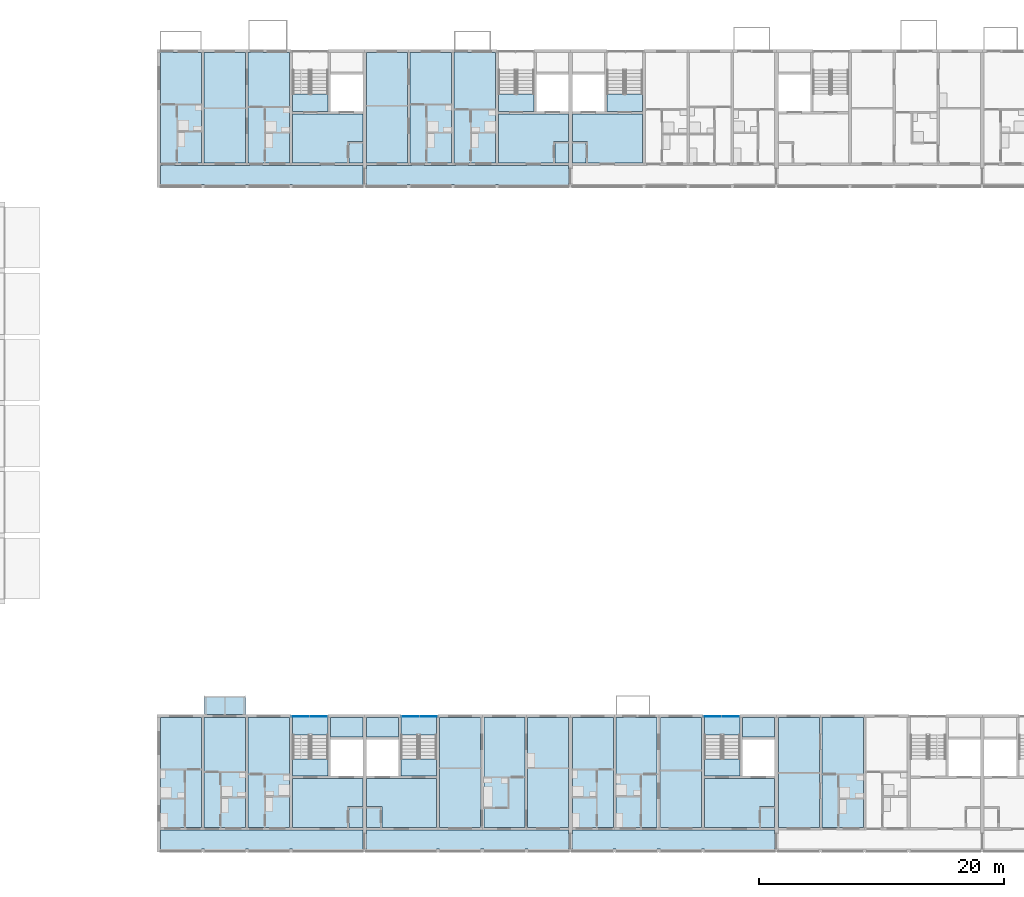
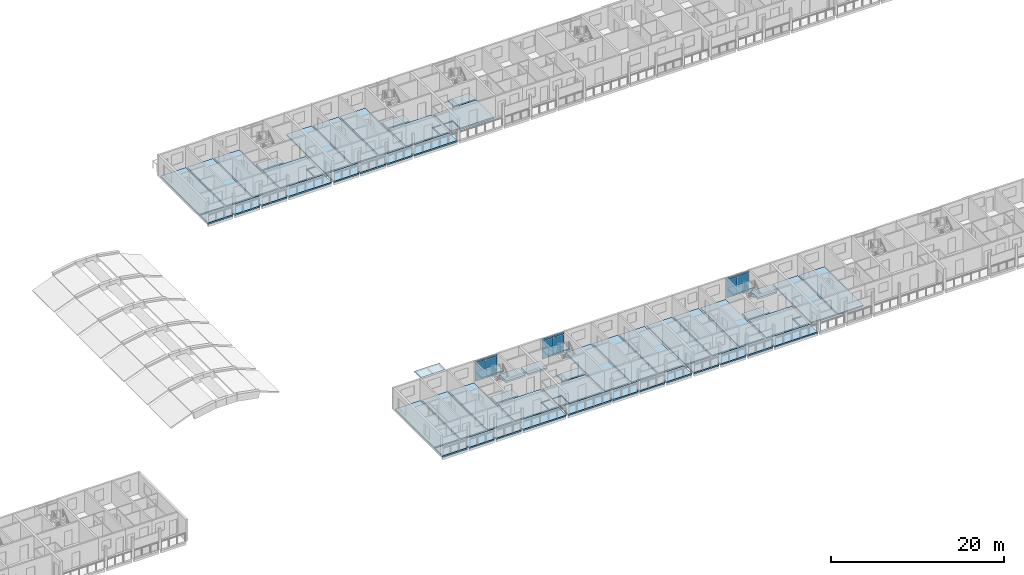
# One storey, part 26 of 93: 47 slabs, 12 plates, 6 elements without a shape of their own.
"""IFC4 building model written with IfcOpenShell, lengths in metres."""

from ifc_helpers import new_model, si_unit, direction, frame, origin, origin_2d, place, context, subcontext, project, spatial, polyline, rectangle, outline, extrude, material, layer, layer_set, type_object, element, aggregate, save


model = new_model("IFC4")

# Units and contexts
model_context = context("Model", 3, precision=1e-05, world=origin(), true_north=direction((0.0, 1.0)))
body_context = subcontext(model_context, "Body", "Model", "MODEL_VIEW")
ifc_project = project(units=[si_unit("LENGTHUNIT", "METRE"), si_unit("AREAUNIT", "SQUARE_METRE"), si_unit("VOLUMEUNIT", "CUBIC_METRE"), si_unit("PLANEANGLEUNIT", "RADIAN"), si_unit("MASSUNIT", "GRAM", prefix="KILO")], contexts=[model_context])

# Site, building, storey
site_placement = place(None, origin())
site = spatial("IfcSite", under=ifc_project, at=site_placement, CompositionType="ELEMENT")
building_placement = place(site_placement, origin())
building = spatial("IfcBuilding", under=site, at=building_placement, Name="Ridgestep Commons", CompositionType="ELEMENT")
storey_placement = place(building_placement, frame((0.0, 0.0, 18.0)))
storey = spatial("IfcBuildingStorey", under=building, at=storey_placement, Name="L06", CompositionType="ELEMENT", Elevation=18.0)

# Slabs
ifc_material_1 = material(Name="Precast concrete C40/50", Category="concrete")
ifc_layer_1 = layer(ifc_material_1, 0.199951171875)
ifc_layer_set_1 = layer_set([ifc_layer_1], Name="Gallery slab 200")
slab_type_1 = type_object("IfcSlabType", Name="Gallery slab 200", PredefinedType="FLOOR", material=ifc_layer_set_1)
slab_1_placement = place(storey_placement, frame((0.0, 0.0, -0.199951171875)))
element("IfcSlab", 1, at=slab_1_placement, inside=storey, type_object=slab_type_1, Name="Gallery slab C1 L06", PredefinedType="FLOOR", context=body_context, shape_type="SweptSolid", body=[
    extrude(outline(polyline([(163.449951171875, 67.800048828125), (146.949951171875, 67.800048828125), (146.949951171875, 66.0), (150.27490234375, 66.0), (150.27490234375, 66.25), (150.52490234375, 66.25), (150.52490234375, 66.0), (153.875, 66.0), (153.875, 66.25), (154.125, 66.25), (154.125, 66.0), (157.47509765625, 66.0), (157.47509765625, 66.25), (157.72509765625, 66.25), (157.72509765625, 66.0), (163.449951171875, 66.0), (163.449951171875, 67.800048828125)])), origin(), (0.0, 0.0, 1.0), 0.199951171875),
])
slab_2_placement = place(storey_placement, frame((0.0, 0.0, -0.199951171875)))
element("IfcSlab", 2, at=slab_2_placement, inside=storey, type_object=slab_type_1, Name="Gallery slab C2 L06", PredefinedType="FLOOR", context=body_context, shape_type="SweptSolid", body=[
    extrude(outline(polyline([(180.25, 67.800048828125), (163.75, 67.800048828125), (163.75, 66.0), (167.074951171875, 66.0), (167.074951171875, 66.25), (167.324951171875, 66.25), (167.324951171875, 66.0), (170.675048828125, 66.0), (170.675048828125, 66.25), (170.925048828125, 66.25), (170.925048828125, 66.0), (174.27490234375, 66.0), (174.27490234375, 66.25), (174.52490234375, 66.25), (174.52490234375, 66.0), (180.25, 66.0), (180.25, 67.800048828125)])), origin(), (0.0, 0.0, 1.0), 0.199951171875),
])
slab_3_placement = place(storey_placement, frame((0.0, 0.0, -0.199951171875)))
element("IfcSlab", 3, at=slab_3_placement, inside=storey, type_object=slab_type_1, Name="Gallery slab D1 L06", PredefinedType="FLOOR", context=body_context, shape_type="SweptSolid", body=[
    extrude(outline(polyline([(163.449951171875, 13.550048828125), (146.949951171875, 13.550048828125), (146.949951171875, 11.75), (150.27490234375, 11.75), (150.27490234375, 12.0), (150.52490234375, 12.0), (150.52490234375, 11.75), (153.875, 11.75), (153.875, 12.0), (154.125, 12.0), (154.125, 11.75), (157.47509765625, 11.75), (157.47509765625, 12.0), (157.72509765625, 12.0), (157.72509765625, 11.75), (163.449951171875, 11.75), (163.449951171875, 13.550048828125)])), origin(), (0.0, 0.0, 1.0), 0.199951171875),
])
slab_4_placement = place(storey_placement, frame((0.0, 0.0, -0.199951171875)))
element("IfcSlab", 4, at=slab_4_placement, inside=storey, type_object=slab_type_1, Name="Gallery slab D2 L06", PredefinedType="FLOOR", context=body_context, shape_type="SweptSolid", body=[
    extrude(outline(polyline([(180.25, 13.550048828125), (163.75, 13.550048828125), (163.75, 11.75), (169.47509765625, 11.75), (169.47509765625, 12.0), (169.72509765625, 12.0), (169.72509765625, 11.75), (173.074951171875, 11.75), (173.074951171875, 12.0), (173.324951171875, 12.0), (173.324951171875, 11.75), (176.675048828125, 11.75), (176.675048828125, 12.0), (176.925048828125, 12.0), (176.925048828125, 11.75), (180.25, 11.75), (180.25, 13.550048828125)])), origin(), (0.0, 0.0, 1.0), 0.199951171875),
])
slab_5_placement = place(storey_placement, frame((0.0, 0.0, -0.199951171875)))
element("IfcSlab", 5, at=slab_5_placement, inside=storey, type_object=slab_type_1, Name="Gallery slab D3 L06", PredefinedType="FLOOR", context=body_context, shape_type="SweptSolid", body=[
    extrude(outline(polyline([(197.050048828125, 13.550048828125), (180.550048828125, 13.550048828125), (180.550048828125, 11.75), (183.875, 11.75), (183.875, 12.0), (184.125, 12.0), (184.125, 11.75), (187.47509765625, 11.75), (187.47509765625, 12.0), (187.72509765625, 12.0), (187.72509765625, 11.75), (191.074951171875, 11.75), (191.074951171875, 12.0), (191.324951171875, 12.0), (191.324951171875, 11.75), (197.050048828125, 11.75), (197.050048828125, 13.550048828125)])), origin(), (0.0, 0.0, 1.0), 0.199951171875),
])

# Curtain wall, plates
ifc_material_2 = material(Name="Aluminium 6063-T6 and glass", Category="aluminium")
curtain_wall_type = type_object("IfcCurtainWallType", Name="Curtain wall stair strip", PredefinedType="NOTDEFINED", material=ifc_material_2)
curtain_wall_1_placement = place(storey_placement, origin())
curtain_wall_1 = element("IfcCurtainWall", 6, at=curtain_wall_1_placement, inside=storey, type_object=curtain_wall_type, Name="Curtain wall D1C level 06", PredefinedType="NOTDEFINED")
ifc_material_3 = material(Name="Glass laminated 6/16/6 low-emissivity", Category="glass")
ifc_layer_2 = layer(ifc_material_3, 0.028076171875)
ifc_layer_set_2 = layer_set([ifc_layer_2], Name="Glazing panel 28")
plate_type_1 = type_object("IfcPlateType", Name="Glazing panel 28", PredefinedType="CURTAIN_PANEL", material=ifc_layer_set_2)
plate_1_placement = place(storey_placement, frame((158.371337890625, 22.830078125, 0.06005859375), z_axis=(0.0, 0.0, 1.0), x_axis=(1.0, 0.0, 0.0)))
plate_1 = element("IfcPlate", 7, at=plate_1_placement, type_object=plate_type_1, Name="CW1 panel 1.1", PredefinedType="CURTAIN_PANEL", context=body_context, shape_type="SweptSolid", body=[
    extrude(rectangle(XDim=1.422607421875, YDim=0.028076171875, at=origin_2d()), origin(), (0.0, 0.0, 1.0), 2.5),
])
plate_2_placement = place(storey_placement, frame((159.853759765625, 22.830078125, 0.06005859375), z_axis=(0.0, 0.0, 1.0), x_axis=(1.0, 0.0, 0.0)))
plate_2 = element("IfcPlate", 8, at=plate_2_placement, type_object=plate_type_1, Name="CW1 panel 2.1", PredefinedType="CURTAIN_PANEL", context=body_context, shape_type="SweptSolid", body=[
    extrude(rectangle(XDim=1.422607421875, YDim=0.028076171875, at=origin_2d()), origin(), (0.0, 0.0, 1.0), 2.5),
])

curtain_wall_2_placement = place(storey_placement, origin())
curtain_wall_2 = element("IfcCurtainWall", 9, at=curtain_wall_2_placement, inside=storey, type_object=curtain_wall_type, Name="Curtain wall D2C level 06", PredefinedType="NOTDEFINED")
plate_3_placement = place(storey_placement, frame((167.34619140625, 22.830078125, 0.06005859375), z_axis=(0.0, 0.0, 1.0), x_axis=(1.0, 0.0, 0.0)))
plate_3 = element("IfcPlate", 10, at=plate_3_placement, type_object=plate_type_1, Name="CW1 panel 1.1", PredefinedType="CURTAIN_PANEL", context=body_context, shape_type="SweptSolid", body=[
    extrude(rectangle(XDim=1.422607421875, YDim=0.028076171875, at=origin_2d()), origin(), (0.0, 0.0, 1.0), 2.5),
])
plate_4_placement = place(storey_placement, frame((168.828857421875, 22.830078125, 0.06005859375), z_axis=(0.0, 0.0, 1.0), x_axis=(1.0, 0.0, 0.0)))
plate_4 = element("IfcPlate", 11, at=plate_4_placement, type_object=plate_type_1, Name="CW1 panel 2.1", PredefinedType="CURTAIN_PANEL", context=body_context, shape_type="SweptSolid", body=[
    extrude(rectangle(XDim=1.422607421875, YDim=0.028076171875, at=origin_2d()), origin(), (0.0, 0.0, 1.0), 2.5),
])

curtain_wall_3_placement = place(storey_placement, origin())
curtain_wall_3 = element("IfcCurtainWall", 12, at=curtain_wall_3_placement, inside=storey, type_object=curtain_wall_type, Name="Curtain wall D3C level 06", PredefinedType="NOTDEFINED")
plate_5_placement = place(storey_placement, frame((191.97119140625, 22.830078125, 0.06005859375), z_axis=(0.0, 0.0, 1.0), x_axis=(1.0, 0.0, 0.0)))
plate_5 = element("IfcPlate", 13, at=plate_5_placement, type_object=plate_type_1, Name="CW1 panel 1.1", PredefinedType="CURTAIN_PANEL", context=body_context, shape_type="SweptSolid", body=[
    extrude(rectangle(XDim=1.422607421875, YDim=0.028076171875, at=origin_2d()), origin(), (0.0, 0.0, 1.0), 2.5),
])
plate_6_placement = place(storey_placement, frame((193.453857421875, 22.830078125, 0.06005859375), z_axis=(0.0, 0.0, 1.0), x_axis=(1.0, 0.0, 0.0)))
plate_6 = element("IfcPlate", 14, at=plate_6_placement, type_object=plate_type_1, Name="CW1 panel 2.1", PredefinedType="CURTAIN_PANEL", context=body_context, shape_type="SweptSolid", body=[
    extrude(rectangle(XDim=1.422607421875, YDim=0.028076171875, at=origin_2d()), origin(), (0.0, 0.0, 1.0), 2.5),
])

# Slabs
ifc_material_4 = material(Name="Precast concrete C50/60", Category="concrete")
ifc_layer_3 = layer(ifc_material_4, 0.199951171875)
ifc_layer_set_3 = layer_set([ifc_layer_3], Name="Hollow-core plank 200")
slab_type_2 = type_object("IfcSlabType", Name="Hollow-core plank 200", PredefinedType="FLOOR", material=ifc_layer_set_3)
slab_6_placement = place(storey_placement, frame((0.0, 0.0, -0.199951171875)))
element("IfcSlab", 15, at=slab_6_placement, inside=storey, type_object=slab_type_2, Name="Floor plank C1T1 L06", PredefinedType="FLOOR", context=body_context, shape_type="SweptSolid", body=[
    extrude(outline(polyline([(150.300048828125, 68.0), (150.300048828125, 77.0), (146.949951171875, 77.0), (146.949951171875, 68.0), (150.300048828125, 68.0)])), origin(), (0.0, 0.0, 1.0), 0.199951171875),
])
slab_7_placement = place(storey_placement, frame((0.0, 0.0, -0.199951171875)))
element("IfcSlab", 16, at=slab_7_placement, inside=storey, type_object=slab_type_2, Name="Floor plank C1T2 L06", PredefinedType="FLOOR", context=body_context, shape_type="SweptSolid", body=[
    extrude(outline(polyline([(153.89990234375, 68.0), (153.89990234375, 77.0), (150.5, 77.0), (150.5, 68.0), (153.89990234375, 68.0)])), origin(), (0.0, 0.0, 1.0), 0.199951171875),
])
slab_8_placement = place(storey_placement, frame((0.0, 0.0, -0.199951171875)))
element("IfcSlab", 17, at=slab_8_placement, inside=storey, type_object=slab_type_2, Name="Floor plank C1T3 L06", PredefinedType="FLOOR", context=body_context, shape_type="SweptSolid", body=[
    extrude(outline(polyline([(157.47509765625, 68.0), (157.47509765625, 77.0), (154.10009765625, 77.0), (154.10009765625, 68.0), (157.47509765625, 68.0)])), origin(), (0.0, 0.0, 1.0), 0.199951171875),
])
slab_9_placement = place(storey_placement, frame((0.0, 0.0, -0.199951171875)))
element("IfcSlab", 18, at=slab_9_placement, inside=storey, type_object=slab_type_2, Name="Floor plank C2T1 L06", PredefinedType="FLOOR", context=body_context, shape_type="SweptSolid", body=[
    extrude(outline(polyline([(167.10009765625, 68.0), (167.10009765625, 77.0), (163.75, 77.0), (163.75, 68.0), (167.10009765625, 68.0)])), origin(), (0.0, 0.0, 1.0), 0.199951171875),
])
slab_10_placement = place(storey_placement, frame((0.0, 0.0, -0.199951171875)))
element("IfcSlab", 19, at=slab_10_placement, inside=storey, type_object=slab_type_2, Name="Floor plank C2T2 L06", PredefinedType="FLOOR", context=body_context, shape_type="SweptSolid", body=[
    extrude(outline(polyline([(170.699951171875, 68.0), (170.699951171875, 77.0), (167.300048828125, 77.0), (167.300048828125, 68.0), (170.699951171875, 68.0)])), origin(), (0.0, 0.0, 1.0), 0.199951171875),
])
slab_11_placement = place(storey_placement, frame((0.0, 0.0, -0.199951171875)))
element("IfcSlab", 20, at=slab_11_placement, inside=storey, type_object=slab_type_2, Name="Floor plank C2T3 L06", PredefinedType="FLOOR", context=body_context, shape_type="SweptSolid", body=[
    extrude(outline(polyline([(174.27490234375, 68.0), (174.27490234375, 77.0), (170.89990234375, 77.0), (170.89990234375, 68.0), (174.27490234375, 68.0)])), origin(), (0.0, 0.0, 1.0), 0.199951171875),
])
slab_12_placement = place(storey_placement, frame((0.0, 0.0, -0.199951171875)))
element("IfcSlab", 21, at=slab_12_placement, inside=storey, type_object=slab_type_2, Name="Floor plank D1T1 L06", PredefinedType="FLOOR", context=body_context, shape_type="SweptSolid", body=[
    extrude(outline(polyline([(150.300048828125, 13.75), (150.300048828125, 22.75), (146.949951171875, 22.75), (146.949951171875, 13.75), (150.300048828125, 13.75)])), origin(), (0.0, 0.0, 1.0), 0.199951171875),
])
slab_13_placement = place(storey_placement, frame((0.0, 0.0, -0.199951171875)))
element("IfcSlab", 22, at=slab_13_placement, inside=storey, type_object=slab_type_2, Name="Floor plank D1T2 L06", PredefinedType="FLOOR", context=body_context, shape_type="SweptSolid", body=[
    extrude(outline(polyline([(153.89990234375, 13.75), (153.89990234375, 22.75), (150.5, 22.75), (150.5, 13.75), (153.89990234375, 13.75)])), origin(), (0.0, 0.0, 1.0), 0.199951171875),
])
slab_14_placement = place(storey_placement, frame((0.0, 0.0, -0.199951171875)))
element("IfcSlab", 23, at=slab_14_placement, inside=storey, type_object=slab_type_2, Name="Floor plank D1T3 L06", PredefinedType="FLOOR", context=body_context, shape_type="SweptSolid", body=[
    extrude(outline(polyline([(157.47509765625, 13.75), (157.47509765625, 22.75), (154.10009765625, 22.75), (154.10009765625, 13.75), (157.47509765625, 13.75)])), origin(), (0.0, 0.0, 1.0), 0.199951171875),
])
slab_15_placement = place(storey_placement, frame((0.0, 0.0, -0.199951171875)))
element("IfcSlab", 24, at=slab_15_placement, inside=storey, type_object=slab_type_2, Name="Floor plank D2T3 L06", PredefinedType="FLOOR", context=body_context, shape_type="SweptSolid", body=[
    extrude(outline(polyline([(173.074951171875, 13.75), (173.074951171875, 22.75), (169.72509765625, 22.75), (169.72509765625, 13.75), (173.074951171875, 13.75)])), origin(), (0.0, 0.0, 1.0), 0.199951171875),
])
slab_16_placement = place(storey_placement, frame((0.0, 0.0, -0.199951171875)))
element("IfcSlab", 25, at=slab_16_placement, inside=storey, type_object=slab_type_2, Name="Floor plank D2T2 L06", PredefinedType="FLOOR", context=body_context, shape_type="SweptSolid", body=[
    extrude(outline(polyline([(176.699951171875, 13.75), (176.699951171875, 22.75), (173.324951171875, 22.75), (173.324951171875, 13.75), (176.699951171875, 13.75)])), origin(), (0.0, 0.0, 1.0), 0.199951171875),
])
slab_17_placement = place(storey_placement, frame((0.0, 0.0, -0.199951171875)))
element("IfcSlab", 26, at=slab_17_placement, inside=storey, type_object=slab_type_2, Name="Floor plank D2T1 L06", PredefinedType="FLOOR", context=body_context, shape_type="SweptSolid", body=[
    extrude(outline(polyline([(180.25, 13.75), (180.25, 22.75), (176.89990234375, 22.75), (176.89990234375, 13.75), (180.25, 13.75)])), origin(), (0.0, 0.0, 1.0), 0.199951171875),
])
slab_18_placement = place(storey_placement, frame((0.0, 0.0, -0.199951171875)))
element("IfcSlab", 27, at=slab_18_placement, inside=storey, type_object=slab_type_2, Name="Floor plank D3T1 L06", PredefinedType="FLOOR", context=body_context, shape_type="SweptSolid", body=[
    extrude(outline(polyline([(183.89990234375, 13.75), (183.89990234375, 22.75), (180.550048828125, 22.75), (180.550048828125, 13.75), (183.89990234375, 13.75)])), origin(), (0.0, 0.0, 1.0), 0.199951171875),
])
slab_19_placement = place(storey_placement, frame((0.0, 0.0, -0.199951171875)))
element("IfcSlab", 28, at=slab_19_placement, inside=storey, type_object=slab_type_2, Name="Floor plank D3T2 L06", PredefinedType="FLOOR", context=body_context, shape_type="SweptSolid", body=[
    extrude(outline(polyline([(187.47509765625, 13.75), (187.47509765625, 22.75), (184.10009765625, 22.75), (184.10009765625, 13.75), (187.47509765625, 13.75)])), origin(), (0.0, 0.0, 1.0), 0.199951171875),
])
slab_20_placement = place(storey_placement, frame((0.0, 0.0, -0.199951171875)))
element("IfcSlab", 29, at=slab_20_placement, inside=storey, type_object=slab_type_2, Name="Floor plank D3T3 L06", PredefinedType="FLOOR", context=body_context, shape_type="SweptSolid", body=[
    extrude(outline(polyline([(191.074951171875, 13.75), (191.074951171875, 22.75), (187.72509765625, 22.75), (187.72509765625, 13.75), (191.074951171875, 13.75)])), origin(), (0.0, 0.0, 1.0), 0.199951171875),
])
slab_21_placement = place(storey_placement, frame((0.0, 0.0, -0.199951171875)))
element("IfcSlab", 30, at=slab_21_placement, inside=storey, type_object=slab_type_2, Name="Floor plank D4T1 L06", PredefinedType="FLOOR", context=body_context, shape_type="SweptSolid", body=[
    extrude(outline(polyline([(200.699951171875, 13.75), (200.699951171875, 22.75), (197.35009765625, 22.75), (197.35009765625, 13.75), (200.699951171875, 13.75)])), origin(), (0.0, 0.0, 1.0), 0.199951171875),
])
slab_22_placement = place(storey_placement, frame((0.0, 0.0, -0.199951171875)))
element("IfcSlab", 31, at=slab_22_placement, inside=storey, type_object=slab_type_2, Name="Floor plank D4T2 L06", PredefinedType="FLOOR", context=body_context, shape_type="SweptSolid", body=[
    extrude(outline(polyline([(204.300048828125, 13.75), (204.300048828125, 22.75), (200.89990234375, 22.75), (200.89990234375, 13.75), (204.300048828125, 13.75)])), origin(), (0.0, 0.0, 1.0), 0.199951171875),
])
ifc_material_5 = material(Name="Precast concrete C50/60", Category="concrete")
ifc_layer_4 = layer(ifc_material_5, 0.25)
ifc_layer_set_4 = layer_set([ifc_layer_4], Name="Hollow-core plank 250")
slab_type_3 = type_object("IfcSlabType", Name="Hollow-core plank 250", PredefinedType="FLOOR", material=ifc_layer_set_4)
slab_23_placement = place(storey_placement, frame((0.0, 0.0, -0.25)))
element("IfcSlab", 32, at=slab_23_placement, inside=storey, type_object=slab_type_3, Name="Floor plank C1C L06", PredefinedType="FLOOR", context=body_context, shape_type="SweptSolid", body=[
    extrude(outline(polyline([(162.320068359375, 69.719970703125), (163.449951171875, 69.719970703125), (163.449951171875, 72.0), (157.72509765625, 72.0), (157.72509765625, 68.0), (162.199951171875, 68.0), (162.199951171875, 69.719970703125), (162.320068359375, 69.719970703125)])), origin(), (0.0, 0.0, 1.0), 0.25),
])
slab_24_placement = place(storey_placement, frame((0.0, 0.0, -0.25)))
element("IfcSlab", 33, at=slab_24_placement, inside=storey, type_object=slab_type_3, Name="Floor plank C1C L06", PredefinedType="FLOOR", context=body_context, shape_type="SweptSolid", body=[
    extrude(outline(polyline([(160.625, 72.199951171875), (160.625, 73.60009765625), (157.72509765625, 73.60009765625), (157.72509765625, 72.199951171875), (160.625, 72.199951171875)])), origin(), (0.0, 0.0, 1.0), 0.25),
])
slab_25_placement = place(storey_placement, frame((0.0, 0.0, -0.25)))
element("IfcSlab", 34, at=slab_25_placement, inside=storey, type_object=slab_type_3, Name="Floor plank C1C L06", PredefinedType="FLOOR", context=body_context, shape_type="SweptSolid", body=[
    extrude(outline(polyline([(162.320068359375, 68.0), (163.449951171875, 68.0), (163.449951171875, 69.60009765625), (162.320068359375, 69.60009765625), (162.320068359375, 68.0)])), origin(), (0.0, 0.0, 1.0), 0.25),
])
slab_26_placement = place(storey_placement, frame((0.0, 0.0, -0.25)))
element("IfcSlab", 35, at=slab_26_placement, inside=storey, type_object=slab_type_3, Name="Floor plank C2C L06", PredefinedType="FLOOR", context=body_context, shape_type="SweptSolid", body=[
    extrude(outline(polyline([(179.1201171875, 69.719970703125), (180.25, 69.719970703125), (180.25, 72.0), (174.52490234375, 72.0), (174.52490234375, 68.0), (179.0, 68.0), (179.0, 69.719970703125), (179.1201171875, 69.719970703125)])), origin(), (0.0, 0.0, 1.0), 0.25),
])
slab_27_placement = place(storey_placement, frame((0.0, 0.0, -0.25)))
element("IfcSlab", 36, at=slab_27_placement, inside=storey, type_object=slab_type_3, Name="Floor plank C2C L06", PredefinedType="FLOOR", context=body_context, shape_type="SweptSolid", body=[
    extrude(outline(polyline([(177.425048828125, 72.199951171875), (177.425048828125, 73.60009765625), (174.52490234375, 73.60009765625), (174.52490234375, 72.199951171875), (177.425048828125, 72.199951171875)])), origin(), (0.0, 0.0, 1.0), 0.25),
])
slab_28_placement = place(storey_placement, frame((0.0, 0.0, -0.25)))
element("IfcSlab", 37, at=slab_28_placement, inside=storey, type_object=slab_type_3, Name="Floor plank C2C L06", PredefinedType="FLOOR", context=body_context, shape_type="SweptSolid", body=[
    extrude(outline(polyline([(179.1201171875, 68.0), (180.25, 68.0), (180.25, 69.60009765625), (179.1201171875, 69.60009765625), (179.1201171875, 68.0)])), origin(), (0.0, 0.0, 1.0), 0.25),
])
slab_29_placement = place(storey_placement, frame((0.0, 0.0, -0.25)))
element("IfcSlab", 38, at=slab_29_placement, inside=storey, type_object=slab_type_3, Name="Floor plank C3C L06", PredefinedType="FLOOR", context=body_context, shape_type="SweptSolid", body=[
    extrude(outline(polyline([(181.800048828125, 68.0), (186.27490234375, 68.0), (186.27490234375, 72.0), (180.550048828125, 72.0), (180.550048828125, 69.719970703125), (181.679931640625, 69.719970703125), (181.800048828125, 69.719970703125), (181.800048828125, 68.0)])), origin(), (0.0, 0.0, 1.0), 0.25),
])
slab_30_placement = place(storey_placement, frame((0.0, 0.0, -0.25)))
element("IfcSlab", 39, at=slab_30_placement, inside=storey, type_object=slab_type_3, Name="Floor plank C3C L06", PredefinedType="FLOOR", context=body_context, shape_type="SweptSolid", body=[
    extrude(outline(polyline([(186.27490234375, 72.199951171875), (186.27490234375, 73.60009765625), (183.375, 73.60009765625), (183.375, 72.199951171875), (186.27490234375, 72.199951171875)])), origin(), (0.0, 0.0, 1.0), 0.25),
])
slab_31_placement = place(storey_placement, frame((0.0, 0.0, -0.25)))
element("IfcSlab", 40, at=slab_31_placement, inside=storey, type_object=slab_type_3, Name="Floor plank C3C L06", PredefinedType="FLOOR", context=body_context, shape_type="SweptSolid", body=[
    extrude(outline(polyline([(181.679931640625, 69.60009765625), (180.550048828125, 69.60009765625), (180.550048828125, 68.0), (181.679931640625, 68.0), (181.679931640625, 69.60009765625)])), origin(), (0.0, 0.0, 1.0), 0.25),
])
slab_32_placement = place(storey_placement, frame((0.0, 0.0, -0.25)))
element("IfcSlab", 41, at=slab_32_placement, inside=storey, type_object=slab_type_3, Name="Floor plank D1C L06", PredefinedType="FLOOR", context=body_context, shape_type="SweptSolid", body=[
    extrude(outline(polyline([(162.320068359375, 15.469970703125), (163.449951171875, 15.469970703125), (163.449951171875, 17.75), (157.72509765625, 17.75), (157.72509765625, 13.75), (162.199951171875, 13.75), (162.199951171875, 15.469970703125), (162.320068359375, 15.469970703125)])), origin(), (0.0, 0.0, 1.0), 0.25),
])
slab_33_placement = place(storey_placement, frame((0.0, 0.0, -0.25)))
element("IfcSlab", 42, at=slab_33_placement, inside=storey, type_object=slab_type_3, Name="Floor plank D1C L06", PredefinedType="FLOOR", context=body_context, shape_type="SweptSolid", body=[
    extrude(outline(polyline([(163.449951171875, 21.14990234375), (163.449951171875, 22.75), (160.824951171875, 22.75), (160.824951171875, 21.14990234375), (163.449951171875, 21.14990234375)])), origin(), (0.0, 0.0, 1.0), 0.25),
])
slab_34_placement = place(storey_placement, frame((0.0, 0.0, -0.25)))
element("IfcSlab", 43, at=slab_34_placement, inside=storey, type_object=slab_type_3, Name="Floor plank D1C L06", PredefinedType="FLOOR", context=body_context, shape_type="SweptSolid", body=[
    extrude(outline(polyline([(160.625, 17.949951171875), (160.625, 19.35009765625), (157.72509765625, 19.35009765625), (157.72509765625, 17.949951171875), (160.625, 17.949951171875)])), origin(), (0.0, 0.0, 1.0), 0.25),
])
slab_35_placement = place(storey_placement, frame((0.0, 0.0, -0.25)))
element("IfcSlab", 44, at=slab_35_placement, inside=storey, type_object=slab_type_3, Name="Floor plank D1C L06", PredefinedType="FLOOR", context=body_context, shape_type="SweptSolid", body=[
    extrude(outline(polyline([(162.320068359375, 13.75), (163.449951171875, 13.75), (163.449951171875, 15.35009765625), (162.320068359375, 15.35009765625), (162.320068359375, 13.75)])), origin(), (0.0, 0.0, 1.0), 0.25),
])
slab_36_placement = place(storey_placement, frame((0.0, 0.0, -0.25)))
element("IfcSlab", 45, at=slab_36_placement, inside=storey, type_object=slab_type_3, Name="Floor plank D2C L06", PredefinedType="FLOOR", context=body_context, shape_type="SweptSolid", body=[
    extrude(outline(polyline([(165.0, 13.75), (169.47509765625, 13.75), (169.47509765625, 17.75), (163.75, 17.75), (163.75, 15.469970703125), (164.8798828125, 15.469970703125), (165.0, 15.469970703125), (165.0, 13.75)])), origin(), (0.0, 0.0, 1.0), 0.25),
])
slab_37_placement = place(storey_placement, frame((0.0, 0.0, -0.25)))
element("IfcSlab", 46, at=slab_37_placement, inside=storey, type_object=slab_type_3, Name="Floor plank D2C L06", PredefinedType="FLOOR", context=body_context, shape_type="SweptSolid", body=[
    extrude(outline(polyline([(166.375, 22.75), (163.75, 22.75), (163.75, 21.14990234375), (166.375, 21.14990234375), (166.375, 22.75)])), origin(), (0.0, 0.0, 1.0), 0.25),
])
slab_38_placement = place(storey_placement, frame((0.0, 0.0, -0.25)))
element("IfcSlab", 47, at=slab_38_placement, inside=storey, type_object=slab_type_3, Name="Floor plank D2C L06", PredefinedType="FLOOR", context=body_context, shape_type="SweptSolid", body=[
    extrude(outline(polyline([(169.47509765625, 17.949951171875), (169.47509765625, 19.35009765625), (166.574951171875, 19.35009765625), (166.574951171875, 17.949951171875), (169.47509765625, 17.949951171875)])), origin(), (0.0, 0.0, 1.0), 0.25),
])
slab_39_placement = place(storey_placement, frame((0.0, 0.0, -0.25)))
element("IfcSlab", 48, at=slab_39_placement, inside=storey, type_object=slab_type_3, Name="Floor plank D2C L06", PredefinedType="FLOOR", context=body_context, shape_type="SweptSolid", body=[
    extrude(outline(polyline([(164.8798828125, 15.35009765625), (163.75, 15.35009765625), (163.75, 13.75), (164.8798828125, 13.75), (164.8798828125, 15.35009765625)])), origin(), (0.0, 0.0, 1.0), 0.25),
])
slab_40_placement = place(storey_placement, frame((0.0, 0.0, -0.25)))
element("IfcSlab", 49, at=slab_40_placement, inside=storey, type_object=slab_type_3, Name="Floor plank D3C L06", PredefinedType="FLOOR", context=body_context, shape_type="SweptSolid", body=[
    extrude(outline(polyline([(195.919921875, 15.469970703125), (197.050048828125, 15.469970703125), (197.050048828125, 17.75), (191.324951171875, 17.75), (191.324951171875, 13.75), (195.800048828125, 13.75), (195.800048828125, 15.469970703125), (195.919921875, 15.469970703125)])), origin(), (0.0, 0.0, 1.0), 0.25),
])
slab_41_placement = place(storey_placement, frame((0.0, 0.0, -0.25)))
element("IfcSlab", 50, at=slab_41_placement, inside=storey, type_object=slab_type_3, Name="Floor plank D3C L06", PredefinedType="FLOOR", context=body_context, shape_type="SweptSolid", body=[
    extrude(outline(polyline([(197.050048828125, 21.14990234375), (197.050048828125, 22.75), (194.425048828125, 22.75), (194.425048828125, 21.14990234375), (197.050048828125, 21.14990234375)])), origin(), (0.0, 0.0, 1.0), 0.25),
])
slab_42_placement = place(storey_placement, frame((0.0, 0.0, -0.25)))
element("IfcSlab", 51, at=slab_42_placement, inside=storey, type_object=slab_type_3, Name="Floor plank D3C L06", PredefinedType="FLOOR", context=body_context, shape_type="SweptSolid", body=[
    extrude(outline(polyline([(194.22509765625, 17.949951171875), (194.22509765625, 19.35009765625), (191.324951171875, 19.35009765625), (191.324951171875, 17.949951171875), (194.22509765625, 17.949951171875)])), origin(), (0.0, 0.0, 1.0), 0.25),
])
slab_43_placement = place(storey_placement, frame((0.0, 0.0, -0.25)))
element("IfcSlab", 52, at=slab_43_placement, inside=storey, type_object=slab_type_3, Name="Floor plank D3C L06", PredefinedType="FLOOR", context=body_context, shape_type="SweptSolid", body=[
    extrude(outline(polyline([(195.919921875, 13.75), (197.050048828125, 13.75), (197.050048828125, 15.35009765625), (195.919921875, 15.35009765625), (195.919921875, 13.75)])), origin(), (0.0, 0.0, 1.0), 0.25),
])

# Plate
ifc_material_6 = material(Name="Aluminium 6063-T6 and mineral wool", Category="aluminium")
ifc_layer_5 = layer(ifc_material_6, 0.0400390625)
ifc_layer_set_5 = layer_set([ifc_layer_5], Name="Spandrel panel 40")
plate_type_2 = type_object("IfcPlateType", Name="Spandrel panel 40", PredefinedType="CURTAIN_PANEL", material=ifc_layer_set_5)
plate_7_placement = place(storey_placement, frame((158.371337890625, 22.830078125, 2.6201171875), z_axis=(0.0, 0.0, 1.0), x_axis=(1.0, 0.0, 0.0)))
plate_7 = element("IfcPlate", 53, at=plate_7_placement, type_object=plate_type_2, Name="CW1 panel 1.2", PredefinedType="CURTAIN_PANEL", context=body_context, shape_type="SweptSolid", body=[
    extrude(rectangle(XDim=1.422607421875, YDim=0.0400390625, at=origin_2d()), origin(), (0.0, 0.0, 1.0), 0.320068359375),
])

plate_8_placement = place(storey_placement, frame((159.853759765625, 22.830078125, 2.6201171875), z_axis=(0.0, 0.0, 1.0), x_axis=(1.0, 0.0, 0.0)))
plate_8 = element("IfcPlate", 54, at=plate_8_placement, type_object=plate_type_2, Name="CW1 panel 2.2", PredefinedType="CURTAIN_PANEL", context=body_context, shape_type="SweptSolid", body=[
    extrude(rectangle(XDim=1.422607421875, YDim=0.0400390625, at=origin_2d()), origin(), (0.0, 0.0, 1.0), 0.320068359375),
])

aggregate(curtain_wall_1, [plate_1, plate_7, plate_2, plate_8])

plate_9_placement = place(storey_placement, frame((167.34619140625, 22.830078125, 2.6201171875), z_axis=(0.0, 0.0, 1.0), x_axis=(1.0, 0.0, 0.0)))
plate_9 = element("IfcPlate", 55, at=plate_9_placement, type_object=plate_type_2, Name="CW1 panel 1.2", PredefinedType="CURTAIN_PANEL", context=body_context, shape_type="SweptSolid", body=[
    extrude(rectangle(XDim=1.422607421875, YDim=0.0400390625, at=origin_2d()), origin(), (0.0, 0.0, 1.0), 0.320068359375),
])

plate_10_placement = place(storey_placement, frame((168.828857421875, 22.830078125, 2.6201171875), z_axis=(0.0, 0.0, 1.0), x_axis=(1.0, 0.0, 0.0)))
plate_10 = element("IfcPlate", 56, at=plate_10_placement, type_object=plate_type_2, Name="CW1 panel 2.2", PredefinedType="CURTAIN_PANEL", context=body_context, shape_type="SweptSolid", body=[
    extrude(rectangle(XDim=1.422607421875, YDim=0.0400390625, at=origin_2d()), origin(), (0.0, 0.0, 1.0), 0.320068359375),
])

aggregate(curtain_wall_2, [plate_3, plate_9, plate_4, plate_10])

plate_11_placement = place(storey_placement, frame((191.97119140625, 22.830078125, 2.6201171875), z_axis=(0.0, 0.0, 1.0), x_axis=(1.0, 0.0, 0.0)))
plate_11 = element("IfcPlate", 57, at=plate_11_placement, type_object=plate_type_2, Name="CW1 panel 1.2", PredefinedType="CURTAIN_PANEL", context=body_context, shape_type="SweptSolid", body=[
    extrude(rectangle(XDim=1.422607421875, YDim=0.0400390625, at=origin_2d()), origin(), (0.0, 0.0, 1.0), 0.320068359375),
])

plate_12_placement = place(storey_placement, frame((193.453857421875, 22.830078125, 2.6201171875), z_axis=(0.0, 0.0, 1.0), x_axis=(1.0, 0.0, 0.0)))
plate_12 = element("IfcPlate", 58, at=plate_12_placement, type_object=plate_type_2, Name="CW1 panel 2.2", PredefinedType="CURTAIN_PANEL", context=body_context, shape_type="SweptSolid", body=[
    extrude(rectangle(XDim=1.422607421875, YDim=0.0400390625, at=origin_2d()), origin(), (0.0, 0.0, 1.0), 0.320068359375),
])

aggregate(curtain_wall_3, [plate_5, plate_11, plate_6, plate_12])

# Stair, slab
ifc_material_7 = material(Name="Precast concrete C40/50", Category="concrete")
stair_type = type_object("IfcStairType", Name="Escape stair 1400", PredefinedType="HALF_TURN_STAIR", material=ifc_material_7)
stair_1_placement = place(storey_placement, origin())
stair_1 = element("IfcStair", 59, at=stair_1_placement, inside=storey, type_object=stair_type, Name="L06 Escape stair D1C", PredefinedType="HALF_TURN_STAIR")
ifc_material_8 = material(Name="Precast concrete C40/50", Category="concrete")
ifc_layer_6 = layer(ifc_material_8, 0.199951171875)
ifc_layer_set_6 = layer_set([ifc_layer_6], Name="Stair landing 200")
slab_type_4 = type_object("IfcSlabType", Name="Stair landing 200", PredefinedType="LANDING", material=ifc_layer_set_6)
slab_44_placement = place(storey_placement, frame((0.0, 0.0, 1.300048828125)))
slab_44 = element("IfcSlab", 60, at=slab_44_placement, type_object=slab_type_4, Name="D1C landing 1", PredefinedType="LANDING", context=body_context, shape_type="SweptSolid", body=[
    extrude(outline(polyline([(160.625, 21.31005859375), (160.625, 22.75), (157.72509765625, 22.75), (157.72509765625, 21.31005859375), (160.625, 21.31005859375)])), origin(), (0.0, 0.0, 1.0), 0.199951171875),
])
aggregate(stair_1, [slab_44])

stair_2_placement = place(storey_placement, origin())
stair_2 = element("IfcStair", 61, at=stair_2_placement, inside=storey, type_object=stair_type, Name="L06 Escape stair D2C", PredefinedType="HALF_TURN_STAIR")
slab_45_placement = place(storey_placement, frame((0.0, 0.0, 1.300048828125)))
slab_45 = element("IfcSlab", 62, at=slab_45_placement, type_object=slab_type_4, Name="D2C landing 1", PredefinedType="LANDING", context=body_context, shape_type="SweptSolid", body=[
    extrude(outline(polyline([(169.47509765625, 21.31005859375), (169.47509765625, 22.75), (166.574951171875, 22.75), (166.574951171875, 21.31005859375), (169.47509765625, 21.31005859375)])), origin(), (0.0, 0.0, 1.0), 0.199951171875),
])
aggregate(stair_2, [slab_45])

stair_3_placement = place(storey_placement, origin())
stair_3 = element("IfcStair", 63, at=stair_3_placement, inside=storey, type_object=stair_type, Name="L06 Escape stair D3C", PredefinedType="HALF_TURN_STAIR")
slab_46_placement = place(storey_placement, frame((0.0, 0.0, 1.300048828125)))
slab_46 = element("IfcSlab", 64, at=slab_46_placement, type_object=slab_type_4, Name="D3C landing 1", PredefinedType="LANDING", context=body_context, shape_type="SweptSolid", body=[
    extrude(outline(polyline([(194.22509765625, 21.31005859375), (194.22509765625, 22.75), (191.324951171875, 22.75), (191.324951171875, 21.31005859375), (194.22509765625, 21.31005859375)])), origin(), (0.0, 0.0, 1.0), 0.199951171875),
])
aggregate(stair_3, [slab_46])

# Slab
ifc_material_9 = material(Name="Weathering steel S355J2W", Category="steel")
ifc_layer_7 = layer(ifc_material_9, 0.010009765625)
ifc_layer_set_7 = layer_set([ifc_layer_7], Name="Tray 3.4 x 1.5")
slab_type_5 = type_object("IfcSlabType", Name="Tray 3.4 x 1.5", PredefinedType="FLOOR", material=ifc_layer_set_7)
slab_47_placement = place(storey_placement, frame((0.0, 0.0, 2.989990234375)))
element("IfcSlab", 65, at=slab_47_placement, inside=storey, type_object=slab_type_5, Name="Tray deck D1T2-07", PredefinedType="FLOOR", context=body_context, shape_type="SweptSolid", body=[
    extrude(outline(polyline([(150.530029296875, 23.0), (153.8701171875, 23.0), (153.8701171875, 24.5), (150.530029296875, 24.5), (150.530029296875, 23.0)])), origin(), (0.0, 0.0, 1.0), 0.010009765625),
])

save(model, "model.ifc")
